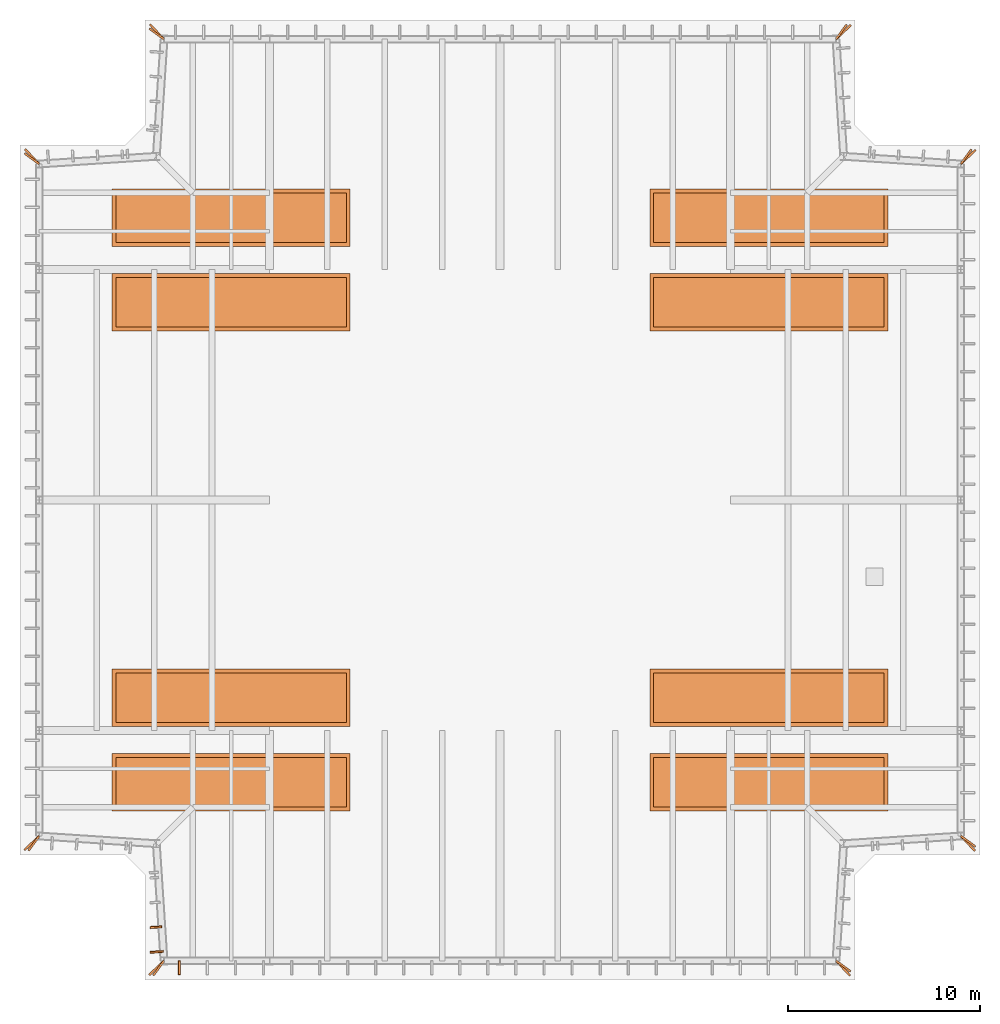
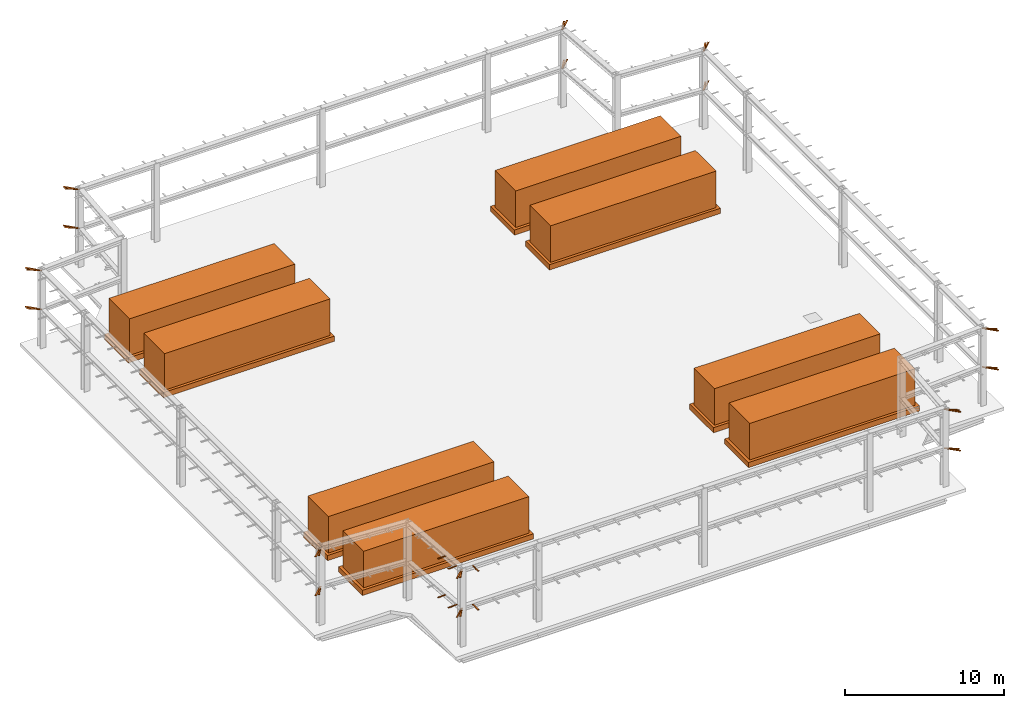
# One storey, part 3 of 8: 54 proxies.
"""IFC4 building model written with IfcOpenShell, lengths in metres."""

from ifc_helpers import new_model, si_unit, direction, frame, origin, origin_2d, place, context, subcontext, project, spatial, rectangle, extrude, material, material_profile, profile_set, type_object, element, save


model = new_model("IFC4")

# Units and contexts
model_context = context("Model", 3, precision=1e-05, world=origin(), true_north=direction((0.0, 1.0)))
body_context = subcontext(model_context, "Body", "Model", "MODEL_VIEW")
ifc_project = project(units=[si_unit("LENGTHUNIT", "METRE"), si_unit("AREAUNIT", "SQUARE_METRE"), si_unit("VOLUMEUNIT", "CUBIC_METRE"), si_unit("PLANEANGLEUNIT", "RADIAN"), si_unit("MASSUNIT", "GRAM", prefix="KILO")], contexts=[model_context])

# Site, building, storey
site_placement = place(None, origin())
site = spatial("IfcSite", under=ifc_project, at=site_placement, CompositionType="ELEMENT")
building_placement = place(site_placement, origin())
building = spatial("IfcBuilding", under=site, at=building_placement, Name="Fenwick Lantern Interchange", CompositionType="ELEMENT")
storey_placement = place(building_placement, frame((0.0, 0.0, 313.800048828125)))
storey = spatial("IfcBuildingStorey", under=building, at=storey_placement, Name="RF-A", CompositionType="ELEMENT", Elevation=313.800048828125)

# Proxies
ifc_material_1 = material(Name="Steel ASTM A572 Grade 50", Category="steel")
ifc_material_profile = material_profile(ifc_material_1, rectangle(XDim=0.10009765625, YDim=0.011962890625, at=origin_2d()), Name="PL100X12")
ifc_profile_set = profile_set([ifc_material_profile], Name="Steel ASTM A572 Grade 50")
building_element_proxy_type_1 = type_object("IfcBuildingElementProxyType", Name="LANTERN TIE BRACKET PL 100 X 12", PredefinedType="USERDEFINED", material=ifc_profile_set)
proxy_1_placement = place(storey_placement, frame((6.943603515625, 0.2412109375, 2.84619140625), z_axis=(0.591284509455, 0.806463036275, 0.0), x_axis=(-0.806463036275, 0.591284509455, 0.0)))
element("IfcBuildingElementProxy", 1, at=proxy_1_placement, inside=storey, type_object=building_element_proxy_type_1, Name="Lantern tie bracket", ObjectType="LANTERN TIE BRACKET", PredefinedType="USERDEFINED", context=body_context, shape_type="SweptSolid", body=[
    extrude(rectangle(XDim=0.10009765625, YDim=0.011962890625, at=origin_2d()), origin(), (0.0, 0.0, 1.0), 0.93603515625),
])
proxy_2_placement = place(storey_placement, frame((6.943603515625, 0.2412109375, 5.822265625), z_axis=(0.591193916792, 0.806529449399, 0.0), x_axis=(-0.806529449399, 0.591193916792, 0.0)))
element("IfcBuildingElementProxy", 2, at=proxy_2_placement, inside=storey, type_object=building_element_proxy_type_1, Name="Lantern tie bracket", ObjectType="LANTERN TIE BRACKET", PredefinedType="USERDEFINED", context=body_context, shape_type="SweptSolid", body=[
    extrude(rectangle(XDim=0.10009765625, YDim=0.011962890625, at=origin_2d()), origin(), (0.0, 0.0, 1.0), 0.935302734375),
])
proxy_3_placement = place(storey_placement, frame((8.30078125, 0.27490234375, 2.84619140625), z_axis=(0.0, 1.0, 0.0), x_axis=(-1.0, 0.0, 0.0)))
element("IfcBuildingElementProxy", 3, at=proxy_3_placement, inside=storey, type_object=building_element_proxy_type_1, Name="Lantern tie bracket", ObjectType="LANTERN TIE BRACKET", PredefinedType="USERDEFINED", context=body_context, shape_type="SweptSolid", body=[
    extrude(rectangle(XDim=0.10009765625, YDim=0.011962890625, at=origin_2d()), origin(), (0.0, 0.0, 1.0), 0.72021484375),
])
proxy_4_placement = place(storey_placement, frame((8.30078125, 0.27490234375, 5.822265625), z_axis=(0.0, 1.0, 0.0), x_axis=(-1.0, 0.0, 0.0)))
element("IfcBuildingElementProxy", 4, at=proxy_4_placement, inside=storey, type_object=building_element_proxy_type_1, Name="Lantern tie bracket", ObjectType="LANTERN TIE BRACKET", PredefinedType="USERDEFINED", context=body_context, shape_type="SweptSolid", body=[
    extrude(rectangle(XDim=0.10009765625, YDim=0.011962890625, at=origin_2d()), origin(), (0.0, 0.0, 1.0), 0.719482421875),
])
proxy_5_placement = place(storey_placement, frame((43.239013671875, 0.2265625, 2.84619140625), z_axis=(-0.690873752369, 0.722975420252, 0.0), x_axis=(-0.722975420252, -0.690873752369, 0.0)))
element("IfcBuildingElementProxy", 5, at=proxy_5_placement, inside=storey, type_object=building_element_proxy_type_1, Name="Lantern tie bracket", ObjectType="LANTERN TIE BRACKET", PredefinedType="USERDEFINED", context=body_context, shape_type="SweptSolid", body=[
    extrude(rectangle(XDim=0.10009765625, YDim=0.011962890625, at=origin_2d()), origin(), (0.0, 0.0, 1.0), 1.064697265625),
])
proxy_6_placement = place(storey_placement, frame((43.239013671875, 0.2265625, 5.822265625), z_axis=(-0.690863101981, 0.722985597589, 0.0), x_axis=(-0.722985597589, -0.690863101981, 0.0)))
element("IfcBuildingElementProxy", 6, at=proxy_6_placement, inside=storey, type_object=building_element_proxy_type_1, Name="Lantern tie bracket", ObjectType="LANTERN TIE BRACKET", PredefinedType="USERDEFINED", context=body_context, shape_type="SweptSolid", body=[
    extrude(rectangle(XDim=0.10009765625, YDim=0.011962890625, at=origin_2d()), origin(), (0.0, 0.0, 1.0), 1.06396484375),
])
proxy_7_placement = place(storey_placement, frame((43.2587890625, 0.443603515625, 2.84619140625), z_axis=(-0.806463036275, 0.591284509455, 0.0), x_axis=(-0.591284509455, -0.806463036275, 0.0)))
element("IfcBuildingElementProxy", 7, at=proxy_7_placement, inside=storey, type_object=building_element_proxy_type_1, Name="Lantern tie bracket", ObjectType="LANTERN TIE BRACKET", PredefinedType="USERDEFINED", context=body_context, shape_type="SweptSolid", body=[
    extrude(rectangle(XDim=0.10009765625, YDim=0.011962890625, at=origin_2d()), origin(), (0.0, 0.0, 1.0), 0.93603515625),
])
proxy_8_placement = place(storey_placement, frame((43.2587890625, 0.443603515625, 5.822265625), z_axis=(-0.806529449399, 0.591193916792, 0.0), x_axis=(-0.591193916792, -0.806529449399, 0.0)))
element("IfcBuildingElementProxy", 8, at=proxy_8_placement, inside=storey, type_object=building_element_proxy_type_1, Name="Lantern tie bracket", ObjectType="LANTERN TIE BRACKET", PredefinedType="USERDEFINED", context=body_context, shape_type="SweptSolid", body=[
    extrude(rectangle(XDim=0.10009765625, YDim=0.011962890625, at=origin_2d()), origin(), (0.0, 0.0, 1.0), 0.935302734375),
])
proxy_9_placement = place(storey_placement, frame((49.739013671875, 6.7265625, 2.84619140625), z_axis=(-0.690873752369, 0.722975420252, 0.0), x_axis=(-0.722975420252, -0.690873752369, 0.0)))
element("IfcBuildingElementProxy", 9, at=proxy_9_placement, inside=storey, type_object=building_element_proxy_type_1, Name="Lantern tie bracket", ObjectType="LANTERN TIE BRACKET", PredefinedType="USERDEFINED", context=body_context, shape_type="SweptSolid", body=[
    extrude(rectangle(XDim=0.10009765625, YDim=0.011962890625, at=origin_2d()), origin(), (0.0, 0.0, 1.0), 1.064697265625),
])
proxy_10_placement = place(storey_placement, frame((49.739013671875, 6.7265625, 5.822265625), z_axis=(-0.690863101981, 0.722985597589, 0.0), x_axis=(-0.722985597589, -0.690863101981, 0.0)))
element("IfcBuildingElementProxy", 10, at=proxy_10_placement, inside=storey, type_object=building_element_proxy_type_1, Name="Lantern tie bracket", ObjectType="LANTERN TIE BRACKET", PredefinedType="USERDEFINED", context=body_context, shape_type="SweptSolid", body=[
    extrude(rectangle(XDim=0.10009765625, YDim=0.011962890625, at=origin_2d()), origin(), (0.0, 0.0, 1.0), 1.06396484375),
])
proxy_11_placement = place(storey_placement, frame((49.7587890625, 6.943603515625, 2.84619140625), z_axis=(-0.806463036275, 0.591284509455, 0.0), x_axis=(-0.591284509455, -0.806463036275, 0.0)))
element("IfcBuildingElementProxy", 11, at=proxy_11_placement, inside=storey, type_object=building_element_proxy_type_1, Name="Lantern tie bracket", ObjectType="LANTERN TIE BRACKET", PredefinedType="USERDEFINED", context=body_context, shape_type="SweptSolid", body=[
    extrude(rectangle(XDim=0.10009765625, YDim=0.011962890625, at=origin_2d()), origin(), (0.0, 0.0, 1.0), 0.93603515625),
])
proxy_12_placement = place(storey_placement, frame((49.7587890625, 6.943603515625, 5.822265625), z_axis=(-0.806529449399, 0.591193916792, 0.0), x_axis=(-0.591193916792, -0.806529449399, 0.0)))
element("IfcBuildingElementProxy", 12, at=proxy_12_placement, inside=storey, type_object=building_element_proxy_type_1, Name="Lantern tie bracket", ObjectType="LANTERN TIE BRACKET", PredefinedType="USERDEFINED", context=body_context, shape_type="SweptSolid", body=[
    extrude(rectangle(XDim=0.10009765625, YDim=0.011962890625, at=origin_2d()), origin(), (0.0, 0.0, 1.0), 0.935302734375),
])
proxy_13_placement = place(storey_placement, frame((49.7734375, 43.239013671875, 2.84619140625), z_axis=(-0.722975420252, -0.690873752369, 0.0), x_axis=(0.690873752369, -0.722975420252, 0.0)))
element("IfcBuildingElementProxy", 13, at=proxy_13_placement, inside=storey, type_object=building_element_proxy_type_1, Name="Lantern tie bracket", ObjectType="LANTERN TIE BRACKET", PredefinedType="USERDEFINED", context=body_context, shape_type="SweptSolid", body=[
    extrude(rectangle(XDim=0.10009765625, YDim=0.011962890625, at=origin_2d()), origin(), (0.0, 0.0, 1.0), 1.064697265625),
])
proxy_14_placement = place(storey_placement, frame((49.7734375, 43.239013671875, 5.822265625), z_axis=(-0.722985597589, -0.690863101981, 0.0), x_axis=(0.690863101981, -0.722985597589, 0.0)))
element("IfcBuildingElementProxy", 14, at=proxy_14_placement, inside=storey, type_object=building_element_proxy_type_1, Name="Lantern tie bracket", ObjectType="LANTERN TIE BRACKET", PredefinedType="USERDEFINED", context=body_context, shape_type="SweptSolid", body=[
    extrude(rectangle(XDim=0.10009765625, YDim=0.011962890625, at=origin_2d()), origin(), (0.0, 0.0, 1.0), 1.06396484375),
])
proxy_15_placement = place(storey_placement, frame((49.556396484375, 43.2587890625, 2.84619140625), z_axis=(-0.591284509455, -0.806463036275, 0.0), x_axis=(0.806463036275, -0.591284509455, 0.0)))
element("IfcBuildingElementProxy", 15, at=proxy_15_placement, inside=storey, type_object=building_element_proxy_type_1, Name="Lantern tie bracket", ObjectType="LANTERN TIE BRACKET", PredefinedType="USERDEFINED", context=body_context, shape_type="SweptSolid", body=[
    extrude(rectangle(XDim=0.10009765625, YDim=0.011962890625, at=origin_2d()), origin(), (0.0, 0.0, 1.0), 0.93603515625),
])
proxy_16_placement = place(storey_placement, frame((49.556396484375, 43.2587890625, 5.822265625), z_axis=(-0.591193916792, -0.806529449399, 0.0), x_axis=(0.806529449399, -0.591193916792, 0.0)))
element("IfcBuildingElementProxy", 16, at=proxy_16_placement, inside=storey, type_object=building_element_proxy_type_1, Name="Lantern tie bracket", ObjectType="LANTERN TIE BRACKET", PredefinedType="USERDEFINED", context=body_context, shape_type="SweptSolid", body=[
    extrude(rectangle(XDim=0.10009765625, YDim=0.011962890625, at=origin_2d()), origin(), (0.0, 0.0, 1.0), 0.935302734375),
])
proxy_17_placement = place(storey_placement, frame((43.2734375, 49.739013671875, 2.84619140625), z_axis=(-0.722975420252, -0.690873752369, 0.0), x_axis=(0.690873752369, -0.722975420252, 0.0)))
element("IfcBuildingElementProxy", 17, at=proxy_17_placement, inside=storey, type_object=building_element_proxy_type_1, Name="Lantern tie bracket", ObjectType="LANTERN TIE BRACKET", PredefinedType="USERDEFINED", context=body_context, shape_type="SweptSolid", body=[
    extrude(rectangle(XDim=0.10009765625, YDim=0.011962890625, at=origin_2d()), origin(), (0.0, 0.0, 1.0), 1.064697265625),
])
proxy_18_placement = place(storey_placement, frame((43.2734375, 49.739013671875, 5.822265625), z_axis=(-0.722985597589, -0.690863101981, 0.0), x_axis=(0.690863101981, -0.722985597589, 0.0)))
element("IfcBuildingElementProxy", 18, at=proxy_18_placement, inside=storey, type_object=building_element_proxy_type_1, Name="Lantern tie bracket", ObjectType="LANTERN TIE BRACKET", PredefinedType="USERDEFINED", context=body_context, shape_type="SweptSolid", body=[
    extrude(rectangle(XDim=0.10009765625, YDim=0.011962890625, at=origin_2d()), origin(), (0.0, 0.0, 1.0), 1.06396484375),
])
proxy_19_placement = place(storey_placement, frame((43.056396484375, 49.7587890625, 2.84619140625), z_axis=(-0.591284509455, -0.806463036275, 0.0), x_axis=(0.806463036275, -0.591284509455, 0.0)))
element("IfcBuildingElementProxy", 19, at=proxy_19_placement, inside=storey, type_object=building_element_proxy_type_1, Name="Lantern tie bracket", ObjectType="LANTERN TIE BRACKET", PredefinedType="USERDEFINED", context=body_context, shape_type="SweptSolid", body=[
    extrude(rectangle(XDim=0.10009765625, YDim=0.011962890625, at=origin_2d()), origin(), (0.0, 0.0, 1.0), 0.93603515625),
])
proxy_20_placement = place(storey_placement, frame((43.056396484375, 49.7587890625, 5.822265625), z_axis=(-0.591193916792, -0.806529449399, 0.0), x_axis=(0.806529449399, -0.591193916792, 0.0)))
element("IfcBuildingElementProxy", 20, at=proxy_20_placement, inside=storey, type_object=building_element_proxy_type_1, Name="Lantern tie bracket", ObjectType="LANTERN TIE BRACKET", PredefinedType="USERDEFINED", context=body_context, shape_type="SweptSolid", body=[
    extrude(rectangle(XDim=0.10009765625, YDim=0.011962890625, at=origin_2d()), origin(), (0.0, 0.0, 1.0), 0.935302734375),
])
proxy_21_placement = place(storey_placement, frame((6.760986328125, 49.7734375, 2.84619140625), z_axis=(0.690873752369, -0.722975420252, 0.0), x_axis=(0.722975420252, 0.690873752369, 0.0)))
element("IfcBuildingElementProxy", 21, at=proxy_21_placement, inside=storey, type_object=building_element_proxy_type_1, Name="Lantern tie bracket", ObjectType="LANTERN TIE BRACKET", PredefinedType="USERDEFINED", context=body_context, shape_type="SweptSolid", body=[
    extrude(rectangle(XDim=0.10009765625, YDim=0.011962890625, at=origin_2d()), origin(), (0.0, 0.0, 1.0), 1.064697265625),
])
proxy_22_placement = place(storey_placement, frame((6.760986328125, 49.7734375, 5.822265625), z_axis=(0.690863101981, -0.722985597589, 0.0), x_axis=(0.722985597589, 0.690863101981, 0.0)))
element("IfcBuildingElementProxy", 22, at=proxy_22_placement, inside=storey, type_object=building_element_proxy_type_1, Name="Lantern tie bracket", ObjectType="LANTERN TIE BRACKET", PredefinedType="USERDEFINED", context=body_context, shape_type="SweptSolid", body=[
    extrude(rectangle(XDim=0.10009765625, YDim=0.011962890625, at=origin_2d()), origin(), (0.0, 0.0, 1.0), 1.06396484375),
])
proxy_23_placement = place(storey_placement, frame((6.7412109375, 49.556396484375, 2.84619140625), z_axis=(0.806463036275, -0.591284509455, 0.0), x_axis=(0.591284509455, 0.806463036275, 0.0)))
element("IfcBuildingElementProxy", 23, at=proxy_23_placement, inside=storey, type_object=building_element_proxy_type_1, Name="Lantern tie bracket", ObjectType="LANTERN TIE BRACKET", PredefinedType="USERDEFINED", context=body_context, shape_type="SweptSolid", body=[
    extrude(rectangle(XDim=0.10009765625, YDim=0.011962890625, at=origin_2d()), origin(), (0.0, 0.0, 1.0), 0.93603515625),
])
proxy_24_placement = place(storey_placement, frame((6.7412109375, 49.556396484375, 5.822265625), z_axis=(0.806529449399, -0.591193916792, 0.0), x_axis=(0.591193916792, 0.806529449399, 0.0)))
element("IfcBuildingElementProxy", 24, at=proxy_24_placement, inside=storey, type_object=building_element_proxy_type_1, Name="Lantern tie bracket", ObjectType="LANTERN TIE BRACKET", PredefinedType="USERDEFINED", context=body_context, shape_type="SweptSolid", body=[
    extrude(rectangle(XDim=0.10009765625, YDim=0.011962890625, at=origin_2d()), origin(), (0.0, 0.0, 1.0), 0.935302734375),
])
proxy_25_placement = place(storey_placement, frame((0.260986328125, 43.2734375, 2.84619140625), z_axis=(0.690873752369, -0.722975420252, 0.0), x_axis=(0.722975420252, 0.690873752369, 0.0)))
element("IfcBuildingElementProxy", 25, at=proxy_25_placement, inside=storey, type_object=building_element_proxy_type_1, Name="Lantern tie bracket", ObjectType="LANTERN TIE BRACKET", PredefinedType="USERDEFINED", context=body_context, shape_type="SweptSolid", body=[
    extrude(rectangle(XDim=0.10009765625, YDim=0.011962890625, at=origin_2d()), origin(), (0.0, 0.0, 1.0), 1.064697265625),
])
proxy_26_placement = place(storey_placement, frame((0.260986328125, 43.2734375, 5.822265625), z_axis=(0.690863101981, -0.722985597589, 0.0), x_axis=(0.722985597589, 0.690863101981, 0.0)))
element("IfcBuildingElementProxy", 26, at=proxy_26_placement, inside=storey, type_object=building_element_proxy_type_1, Name="Lantern tie bracket", ObjectType="LANTERN TIE BRACKET", PredefinedType="USERDEFINED", context=body_context, shape_type="SweptSolid", body=[
    extrude(rectangle(XDim=0.10009765625, YDim=0.011962890625, at=origin_2d()), origin(), (0.0, 0.0, 1.0), 1.06396484375),
])
proxy_27_placement = place(storey_placement, frame((0.2412109375, 43.056396484375, 2.84619140625), z_axis=(0.806463036275, -0.591284509455, 0.0), x_axis=(0.591284509455, 0.806463036275, 0.0)))
element("IfcBuildingElementProxy", 27, at=proxy_27_placement, inside=storey, type_object=building_element_proxy_type_1, Name="Lantern tie bracket", ObjectType="LANTERN TIE BRACKET", PredefinedType="USERDEFINED", context=body_context, shape_type="SweptSolid", body=[
    extrude(rectangle(XDim=0.10009765625, YDim=0.011962890625, at=origin_2d()), origin(), (0.0, 0.0, 1.0), 0.93603515625),
])
proxy_28_placement = place(storey_placement, frame((0.2412109375, 43.056396484375, 5.822265625), z_axis=(0.806529449399, -0.591193916792, 0.0), x_axis=(0.591193916792, 0.806529449399, 0.0)))
element("IfcBuildingElementProxy", 28, at=proxy_28_placement, inside=storey, type_object=building_element_proxy_type_1, Name="Lantern tie bracket", ObjectType="LANTERN TIE BRACKET", PredefinedType="USERDEFINED", context=body_context, shape_type="SweptSolid", body=[
    extrude(rectangle(XDim=0.10009765625, YDim=0.011962890625, at=origin_2d()), origin(), (0.0, 0.0, 1.0), 0.935302734375),
])
proxy_29_placement = place(storey_placement, frame((0.2265625, 6.760986328125, 2.84619140625), z_axis=(0.722975420252, 0.690873752369, 0.0), x_axis=(-0.690873752369, 0.722975420252, 0.0)))
element("IfcBuildingElementProxy", 29, at=proxy_29_placement, inside=storey, type_object=building_element_proxy_type_1, Name="Lantern tie bracket", ObjectType="LANTERN TIE BRACKET", PredefinedType="USERDEFINED", context=body_context, shape_type="SweptSolid", body=[
    extrude(rectangle(XDim=0.10009765625, YDim=0.011962890625, at=origin_2d()), origin(), (0.0, 0.0, 1.0), 1.064697265625),
])
proxy_30_placement = place(storey_placement, frame((0.2265625, 6.760986328125, 5.822265625), z_axis=(0.722985597589, 0.690863101981, 0.0), x_axis=(-0.690863101981, 0.722985597589, 0.0)))
element("IfcBuildingElementProxy", 30, at=proxy_30_placement, inside=storey, type_object=building_element_proxy_type_1, Name="Lantern tie bracket", ObjectType="LANTERN TIE BRACKET", PredefinedType="USERDEFINED", context=body_context, shape_type="SweptSolid", body=[
    extrude(rectangle(XDim=0.10009765625, YDim=0.011962890625, at=origin_2d()), origin(), (0.0, 0.0, 1.0), 1.06396484375),
])
proxy_31_placement = place(storey_placement, frame((0.443603515625, 6.7412109375, 2.84619140625), z_axis=(0.591284509455, 0.806463036275, 0.0), x_axis=(-0.806463036275, 0.591284509455, 0.0)))
element("IfcBuildingElementProxy", 31, at=proxy_31_placement, inside=storey, type_object=building_element_proxy_type_1, Name="Lantern tie bracket", ObjectType="LANTERN TIE BRACKET", PredefinedType="USERDEFINED", context=body_context, shape_type="SweptSolid", body=[
    extrude(rectangle(XDim=0.10009765625, YDim=0.011962890625, at=origin_2d()), origin(), (0.0, 0.0, 1.0), 0.93603515625),
])
proxy_32_placement = place(storey_placement, frame((0.443603515625, 6.7412109375, 5.822265625), z_axis=(0.591193916792, 0.806529449399, 0.0), x_axis=(-0.806529449399, 0.591193916792, 0.0)))
element("IfcBuildingElementProxy", 32, at=proxy_32_placement, inside=storey, type_object=building_element_proxy_type_1, Name="Lantern tie bracket", ObjectType="LANTERN TIE BRACKET", PredefinedType="USERDEFINED", context=body_context, shape_type="SweptSolid", body=[
    extrude(rectangle(XDim=0.10009765625, YDim=0.011962890625, at=origin_2d()), origin(), (0.0, 0.0, 1.0), 0.935302734375),
])
proxy_33_placement = place(storey_placement, frame((6.774658203125, 2.732177734375, 2.84619140625), z_axis=(0.997864709959, 0.065314781015, 0.0), x_axis=(-0.065314781015, 0.997864709959, 0.0)))
element("IfcBuildingElementProxy", 33, at=proxy_33_placement, inside=storey, type_object=building_element_proxy_type_1, Name="Lantern tie bracket", ObjectType="LANTERN TIE BRACKET", PredefinedType="USERDEFINED", context=body_context, shape_type="SweptSolid", body=[
    extrude(rectangle(XDim=0.10009765625, YDim=0.011962890625, at=origin_2d()), origin(), (0.0, 0.0, 1.0), 0.60546875),
])
proxy_34_placement = place(storey_placement, frame((6.774658203125, 2.732177734375, 5.822265625), z_axis=(0.997859540709, 0.065393707765, 0.0), x_axis=(-0.065393707765, 0.997859540709, 0.0)))
element("IfcBuildingElementProxy", 34, at=proxy_34_placement, inside=storey, type_object=building_element_proxy_type_1, Name="Lantern tie bracket", ObjectType="LANTERN TIE BRACKET", PredefinedType="USERDEFINED", context=body_context, shape_type="SweptSolid", body=[
    extrude(rectangle(XDim=0.10009765625, YDim=0.011962890625, at=origin_2d()), origin(), (0.0, 0.0, 1.0), 0.604736328125),
])
proxy_35_placement = place(storey_placement, frame((6.774658203125, 1.44189453125, 2.84619140625), z_axis=(0.997855054871, 0.065462122394, 0.0), x_axis=(-0.065462122394, 0.997855054871, 0.0)))
element("IfcBuildingElementProxy", 35, at=proxy_35_placement, inside=storey, type_object=building_element_proxy_type_1, Name="Lantern tie bracket", ObjectType="LANTERN TIE BRACKET", PredefinedType="USERDEFINED", context=body_context, shape_type="SweptSolid", body=[
    extrude(rectangle(XDim=0.10009765625, YDim=0.011962890625, at=origin_2d()), origin(), (0.0, 0.0, 1.0), 0.68994140625),
])
proxy_36_placement = place(storey_placement, frame((6.774658203125, 1.44189453125, 5.822265625), z_axis=(0.997873599774, 0.065178822278, 0.0), x_axis=(-0.065178822278, 0.997873599774, 0.0)))
element("IfcBuildingElementProxy", 36, at=proxy_36_placement, inside=storey, type_object=building_element_proxy_type_1, Name="Lantern tie bracket", ObjectType="LANTERN TIE BRACKET", PredefinedType="USERDEFINED", context=body_context, shape_type="SweptSolid", body=[
    extrude(rectangle(XDim=0.10009765625, YDim=0.011962890625, at=origin_2d()), origin(), (0.0, 0.0, 1.0), 0.689208984375),
])
proxy_37_placement = place(storey_placement, frame((6.7265625, 0.260986328125, 2.84619140625), z_axis=(0.722975420252, 0.690873752369, 0.0), x_axis=(-0.690873752369, 0.722975420252, 0.0)))
element("IfcBuildingElementProxy", 37, at=proxy_37_placement, inside=storey, type_object=building_element_proxy_type_1, Name="Lantern tie bracket", ObjectType="LANTERN TIE BRACKET", PredefinedType="USERDEFINED", context=body_context, shape_type="SweptSolid", body=[
    extrude(rectangle(XDim=0.10009765625, YDim=0.011962890625, at=origin_2d()), origin(), (0.0, 0.0, 1.0), 1.064697265625),
])
proxy_38_placement = place(storey_placement, frame((6.7265625, 0.260986328125, 5.822265625), z_axis=(0.722985597589, 0.690863101981, 0.0), x_axis=(-0.690863101981, 0.722985597589, 0.0)))
element("IfcBuildingElementProxy", 38, at=proxy_38_placement, inside=storey, type_object=building_element_proxy_type_1, Name="Lantern tie bracket", ObjectType="LANTERN TIE BRACKET", PredefinedType="USERDEFINED", context=body_context, shape_type="SweptSolid", body=[
    extrude(rectangle(XDim=0.10009765625, YDim=0.011962890625, at=origin_2d()), origin(), (0.0, 0.0, 1.0), 1.06396484375),
])
ifc_material_2 = material(Name="Aluminium coil fins in a galvanised steel casing", Category="steel")
building_element_proxy_type_2 = type_object("IfcBuildingElementProxyType", Name="ROOF DRY COOLER 12000 X 2600 X 2800", PredefinedType="USERDEFINED", material=ifc_material_2)
for number, where, z_axis, x_axis, name in (
    (39, (11.0, 10.300048828125, 0.39990234375), (0.0, 0.0, 1.0), (1.0, 0.0, 0.0), "Roof dry cooler DC1"),
    (40, (11.0, 14.699951171875, 0.39990234375), (0.0, 0.0, 1.0), (1.0, 0.0, 0.0), "Roof dry cooler DC2"),
    (41, (39.0, 10.300048828125, 0.39990234375), (0.0, 0.0, 1.0), (1.0, 0.0, 0.0), "Roof dry cooler DC3"),
    (42, (39.0, 14.699951171875, 0.39990234375), (0.0, 0.0, 1.0), (1.0, 0.0, 0.0), "Roof dry cooler DC4"),
    (43, (11.0, 35.300048828125, 0.39990234375), (0.0, 0.0, 1.0), (1.0, 0.0, 0.0), "Roof dry cooler DC5"),
    (44, (11.0, 39.699951171875, 0.39990234375), (0.0, 0.0, 1.0), (1.0, 0.0, 0.0), "Roof dry cooler DC6"),
    (45, (39.0, 35.300048828125, 0.39990234375), (0.0, 0.0, 1.0), (1.0, 0.0, 0.0), "Roof dry cooler DC7"),
    (46, (39.0, 39.699951171875, 0.39990234375), (0.0, 0.0, 1.0), (1.0, 0.0, 0.0), "Roof dry cooler DC8"),
):
    element("IfcBuildingElementProxy", number, at=place(storey_placement, frame(where, z_axis=z_axis, x_axis=x_axis)), inside=storey, type_object=building_element_proxy_type_2, Name=name, ObjectType="ROOF DRY COOLER", PredefinedType="USERDEFINED", context=body_context, shape_type="SweptSolid", body=[
        extrude(rectangle(XDim=12.0, YDim=2.60009765625, at=origin_2d()), origin(), (0.0, 0.0, 1.0), 2.800048828125),
    ])
ifc_material_3 = material(Name="Concrete f'c 35 MPa", Category="concrete")
building_element_proxy_type_3 = type_object("IfcBuildingElementProxyType", Name="ROOF PLANT PLINTH 12400 X 3000 X 400", PredefinedType="USERDEFINED", material=ifc_material_3)
for number, where, z_axis, x_axis, name in (
    (47, (11.0, 10.300048828125, 0.0), (0.0, 0.0, 1.0), (1.0, 0.0, 0.0), "Roof plant plinth PP1"),
    (48, (11.0, 14.699951171875, 0.0), (0.0, 0.0, 1.0), (1.0, 0.0, 0.0), "Roof plant plinth PP2"),
    (49, (39.0, 10.300048828125, 0.0), (0.0, 0.0, 1.0), (1.0, 0.0, 0.0), "Roof plant plinth PP3"),
    (50, (39.0, 14.699951171875, 0.0), (0.0, 0.0, 1.0), (1.0, 0.0, 0.0), "Roof plant plinth PP4"),
    (51, (11.0, 35.300048828125, 0.0), (0.0, 0.0, 1.0), (1.0, 0.0, 0.0), "Roof plant plinth PP5"),
    (52, (11.0, 39.699951171875, 0.0), (0.0, 0.0, 1.0), (1.0, 0.0, 0.0), "Roof plant plinth PP6"),
    (53, (39.0, 35.300048828125, 0.0), (0.0, 0.0, 1.0), (1.0, 0.0, 0.0), "Roof plant plinth PP7"),
    (54, (39.0, 39.699951171875, 0.0), (0.0, 0.0, 1.0), (1.0, 0.0, 0.0), "Roof plant plinth PP8"),
):
    element("IfcBuildingElementProxy", number, at=place(storey_placement, frame(where, z_axis=z_axis, x_axis=x_axis)), inside=storey, type_object=building_element_proxy_type_3, Name=name, ObjectType="ROOF PLANT PLINTH", PredefinedType="USERDEFINED", context=body_context, shape_type="SweptSolid", body=[
        extrude(rectangle(XDim=12.39990234375, YDim=3.0, at=origin_2d()), origin(), (0.0, 0.0, 1.0), 0.39990234375),
    ])

save(model, "model.ifc")
